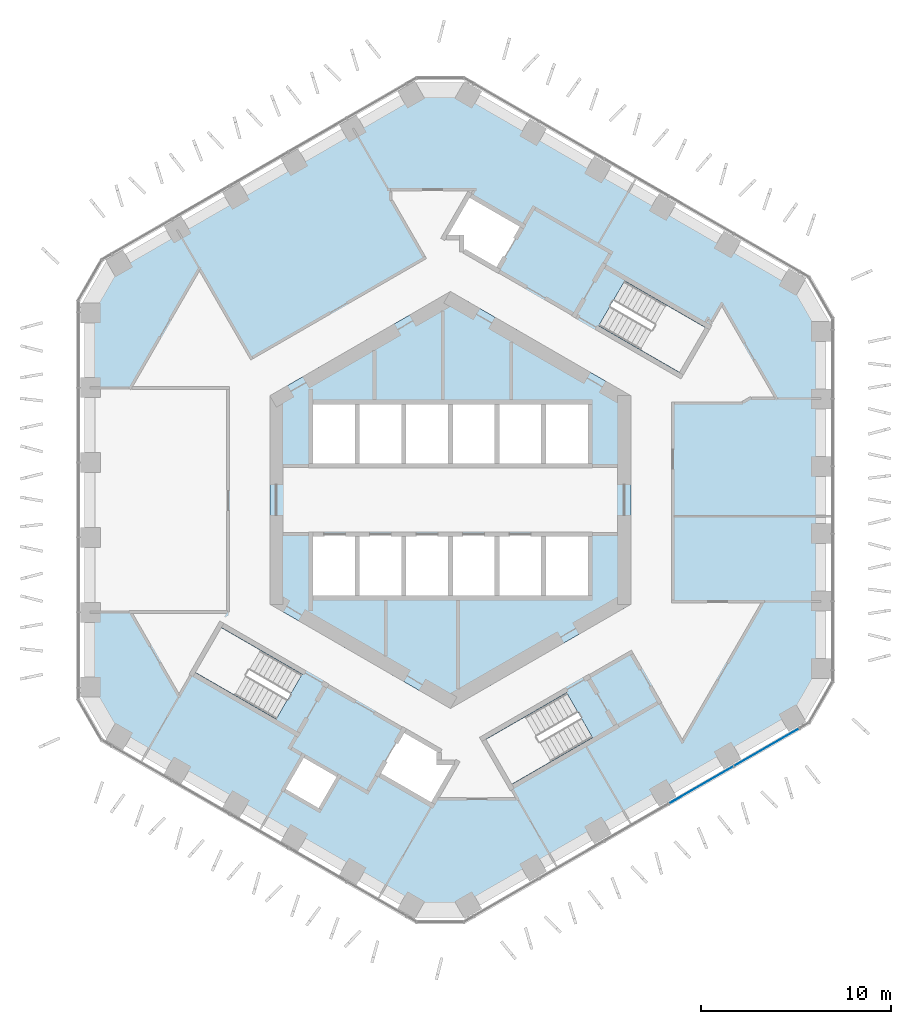
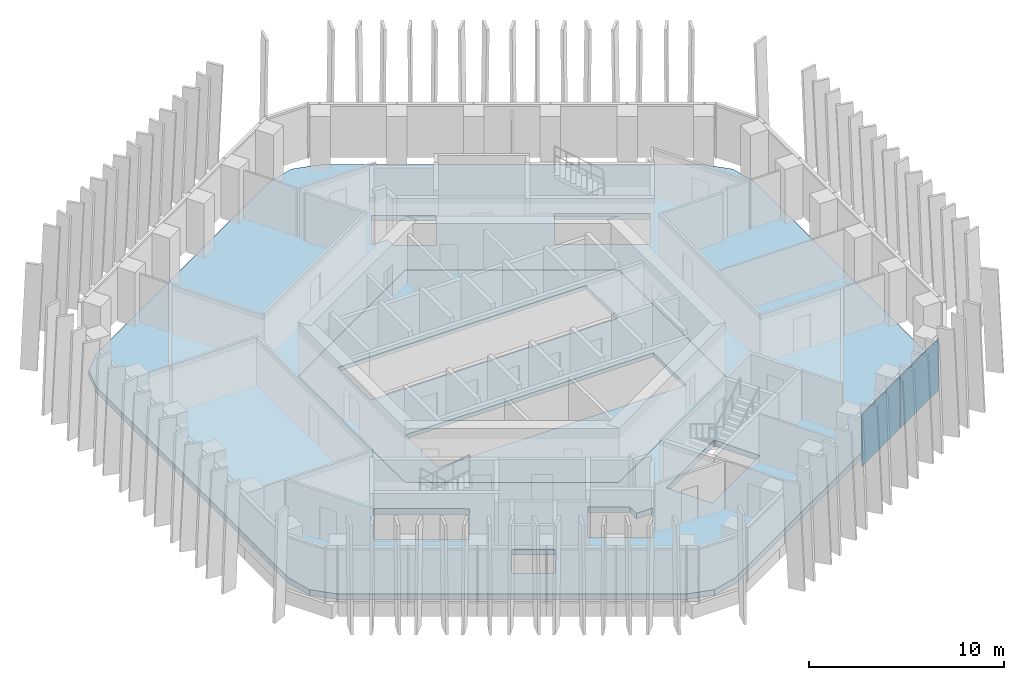
# One storey, part 10 of 19: 2 plates, 2 slabs, 1 element without a shape of its own.
"""IFC4 building model written with IfcOpenShell, lengths in metres."""

from ifc_helpers import new_model, si_unit, direction, frame, origin, origin_2d, place, context, subcontext, project, spatial, polyline, rectangle, outline, extrude, material, layer, layer_set, type_object, element, aggregate, save


model = new_model("IFC4")

# Units and contexts
model_context = context("Model", 3, precision=1e-05, world=origin(), true_north=direction((0.0, 1.0)))
body_context = subcontext(model_context, "Body", "Model", "MODEL_VIEW")
ifc_project = project(units=[si_unit("LENGTHUNIT", "METRE"), si_unit("AREAUNIT", "SQUARE_METRE"), si_unit("VOLUMEUNIT", "CUBIC_METRE"), si_unit("PLANEANGLEUNIT", "RADIAN"), si_unit("MASSUNIT", "GRAM", prefix="KILO")], contexts=[model_context])

# Site, building, storey
site_placement = place(None, origin())
site = spatial("IfcSite", under=ifc_project, at=site_placement, CompositionType="ELEMENT")
building_placement = place(site_placement, origin())
building = spatial("IfcBuilding", under=site, at=building_placement, Name="Ayvan Gate Tower", CompositionType="ELEMENT")
storey_placement = place(building_placement, frame((0.0, 0.0, 113.699951171875)))
storey = spatial("IfcBuildingStorey", under=building, at=storey_placement, Name="L30", CompositionType="ELEMENT", Elevation=113.699951171875)

# Slabs
ifc_material_1 = material(Name="Concrete C40/50", Category="concrete")
ifc_layer_1 = layer(ifc_material_1, 0.35009765625)
ifc_layer_set_1 = layer_set([ifc_layer_1], Name="Concrete C40/50")
slab_type_1 = type_object("IfcSlabType", Name="Post-tensioned flat slab 350", PredefinedType="FLOOR", material=ifc_layer_set_1)
slab_1_placement = place(storey_placement, frame((0.0, 0.0, -0.349853515625)))
element("IfcSlab", 1, at=slab_1_placement, inside=storey, type_object=slab_type_1, Name="SL-L30", PredefinedType="FLOOR", context=body_context, shape_type="SweptSolid", body=[
    extrude(outline(polyline([(-0.5341796875, -21.7275390625), (-2.0341796875, -21.32568359375), (-17.451416015625, -12.42431640625), (-18.549560546875, -11.326416015625), (-18.951416015625, -9.826416015625), (-18.951416015625, 9.826416015625), (-18.549560546875, 11.326416015625), (-17.451416015625, 12.42431640625), (-2.0341796875, 21.32568359375), (-0.5341796875, 21.7275390625), (0.9658203125, 21.32568359375), (17.985595703125, 11.499267578125), (19.083740234375, 10.401123046875), (19.485595703125, 8.901123046875), (19.485595703125, -8.901123046875), (19.083740234375, -10.401123046875), (17.985595703125, -11.499267578125), (0.9658203125, -21.32568359375), (-0.5341796875, -21.7275390625)]), holes=[polyline([(13.404541015625, 9.0673828125), (9.1611328125, 11.517578125), (7.80615234375, 9.170654296875), (12.049560546875, 6.720458984375), (13.404541015625, 9.0673828125)]), polyline([(0.0, 10.9697265625), (-9.5, 5.48486328125), (-9.5, -5.48486328125), (0.0, -10.9697265625), (9.5, -5.48486328125), (9.5, 5.48486328125), (0.0, 10.9697265625)]), polyline([(3.228759765625, -14.9423828125), (7.472412109375, -12.492431640625), (6.117431640625, -10.1455078125), (1.873779296875, -12.595458984375), (3.228759765625, -14.9423828125)]), polyline([(2.472412109375, 12.08251953125), (3.822509765625, 14.420654296875), (0.964599609375, 16.07080078125), (-0.340576171875, 13.81005859375), (0.60009765625, 13.81005859375), (0.60009765625, 13.16357421875), (2.472412109375, 12.08251953125)]), polyline([(0.340576171875, -13.81005859375), (-0.60009765625, -13.81005859375), (-0.60009765625, -13.16357421875), (-2.472412109375, -12.08251953125), (-3.822509765625, -14.420654296875), (-0.964599609375, -16.07080078125), (-0.766357421875, -15.7275390625), (0.340576171875, -13.81005859375)]), polyline([(-5.8447265625, -14.5234375), (-7.75, -13.42333984375), (-8.800048828125, -15.241943359375), (-7.321533203125, -16.095703125), (-6.894775390625, -16.342041015625), (-5.8447265625, -14.5234375)]), polyline([(-7.80615234375, -9.170654296875), (-12.049560546875, -6.720458984375), (-13.404541015625, -9.0673828125), (-9.1611328125, -11.517578125), (-7.80615234375, -9.170654296875)])]), origin(), (0.0, 0.0, 1.0), 0.349853515625),
])
ifc_layer_2 = layer(ifc_material_1, 0.25)
ifc_layer_set_2 = layer_set([ifc_layer_2], Name="Concrete C40/50")
slab_type_2 = type_object("IfcSlabType", Name="SL-CORE-250", PredefinedType="FLOOR", material=ifc_layer_set_2)
slab_2_placement = place(storey_placement, frame((0.0, 0.0, -0.25)))
element("IfcSlab", 2, at=slab_2_placement, inside=storey, type_object=slab_type_2, Name="CS-L30", PredefinedType="FLOOR", context=body_context, shape_type="SweptSolid", body=[
    extrude(outline(polyline([(9.5, -5.48486328125), (0.0, -10.9697265625), (-9.5, -5.48486328125), (-9.5, 5.48486328125), (0.0, 10.9697265625), (9.5, 5.48486328125), (9.5, -5.48486328125)]), holes=[polyline([(-7.35009765625, -1.800048828125), (-7.35009765625, -5.14990234375), (7.35009765625, -5.14990234375), (7.35009765625, -1.800048828125), (-7.35009765625, -1.800048828125)]), polyline([(-7.35009765625, 5.14990234375), (-7.35009765625, 1.800048828125), (7.35009765625, 1.800048828125), (7.35009765625, 5.14990234375), (-7.35009765625, 5.14990234375)])]), origin(), (0.0, 0.0, 1.0), 0.25),
])

# Curtain wall, plates
ifc_material_2 = material(Name="Bronze anodised aluminium", Category="aluminium")
ifc_layer_3 = layer(ifc_material_2, 0.199951171875)
ifc_layer_set_3 = layer_set([ifc_layer_3], Name="Bronze anodised aluminium")
curtain_wall_type = type_object("IfcCurtainWallType", Name="Stick curtain wall CW-1", PredefinedType="NOTDEFINED", material=ifc_layer_set_3)
curtain_wall_placement = place(storey_placement, origin())
curtain_wall = element("IfcCurtainWall", 3, at=curtain_wall_placement, inside=storey, type_object=curtain_wall_type, Name="Stick curtain wall CW-1 L30", PredefinedType="NOTDEFINED")
ifc_material_3 = material(Name="Clear low-iron laminated glass", Category="glass")
ifc_layer_4 = layer(ifc_material_3, 0.028076171875)
ifc_layer_set_4 = layer_set([ifc_layer_4], Name="Clear low-iron laminated glass")
plate_type = type_object("IfcPlateType", Name="Stick curtain wall CW-1 glass panel", PredefinedType="CURTAIN_PANEL", material=ifc_layer_set_4)
plate_1_placement = place(storey_placement, frame((13.197998046875, -14.985107421875, 0.0), z_axis=(0.0, 0.0, 1.0), x_axis=(0.866025403784, 0.5, 0.0)))
plate_1 = element("IfcPlate", 4, at=plate_1_placement, type_object=plate_type, Name="CW-1 glass panel 4", PredefinedType="CURTAIN_PANEL", context=body_context, shape_type="SweptSolid", body=[
    extrude(rectangle(XDim=3.8779296875, YDim=0.028076171875, at=origin_2d()), origin(), (0.0, 0.0, 1.0), 3.280029296875),
])
plate_2_placement = place(storey_placement, frame((16.63623046875, -13.0, 0.0), z_axis=(0.0, 0.0, 1.0), x_axis=(0.866025403784, 0.5, 0.0)))
plate_2 = element("IfcPlate", 5, at=plate_2_placement, type_object=plate_type, Name="CW-1 glass panel 5", PredefinedType="CURTAIN_PANEL", context=body_context, shape_type="SweptSolid", body=[
    extrude(rectangle(XDim=3.942138671875, YDim=0.028076171875, at=origin_2d()), origin(), (0.0, 0.0, 1.0), 3.280029296875),
])
aggregate(curtain_wall, [plate_1, plate_2])

save(model, "model.ifc")
